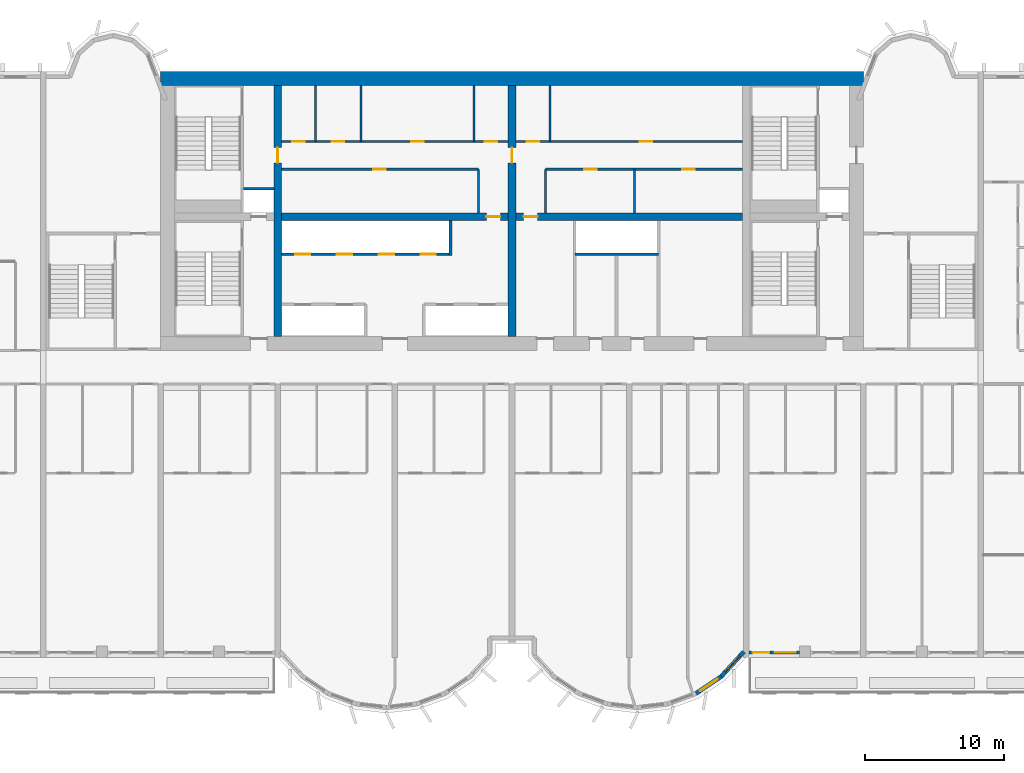
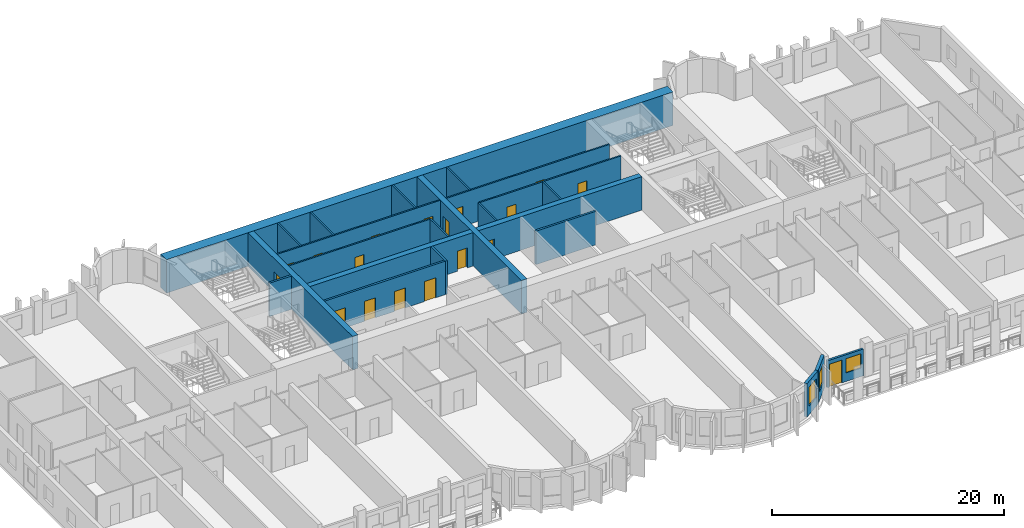
# One storey, part 7 of 15: 23 walls, 18 doors, 3 windows, 21 openings.
"""IFC4 building model written with IfcOpenShell, lengths in metres."""

import ifcopenshell
import ifcopenshell.guid

model = None  # the IFC model being written
_history = None  # IfcOwnerHistory: only IFC2X3 demands one
_inside = {}  # id of a spatial element -> (the spatial element, [elements in it])
_under = {}  # id of a project, library or spatial element -> (it, [spatial elements below it])
_declared = {}  # id of a project -> (the project, [libraries it declares])
_typed = {}  # id of a type object -> (the type object, [elements of that type])
_made_of = {}  # id of a material, layer set ... -> (it, [elements and type objects made of it])


def new_model(schema):
    """Start an empty IFC model of exactly this schema.

    Asked for "IFC4X3", IfcOpenShell would pick the latest addendum, in which some entities
    have other attributes; the version numbers below select the first issue.
    IFC2X3 requires an IfcOwnerHistory on every rooted entity: one is made here for all.
    """
    global model, _history
    if schema == "IFC4X3":
        model = ifcopenshell.file(schema_version=(4, 3, 0, 0))
    else:
        model = ifcopenshell.file(schema=schema)
    _inside.clear()
    _under.clear()
    _declared.clear()
    _typed.clear()
    _made_of.clear()
    _history = None
    if model.schema == "IFC2X3":
        org = make("IfcOrganization", Name="unknown")
        user = make(
            "IfcPersonAndOrganization",
            ThePerson=make("IfcPerson", FamilyName="unknown"),
            TheOrganization=org,
        )
        app = make(
            "IfcApplication",
            ApplicationDeveloper=org,
            Version="unknown",
            ApplicationFullName="unknown",
            ApplicationIdentifier="unknown",
        )
        _history = make(
            "IfcOwnerHistory",
            OwningUser=user,
            OwningApplication=app,
            ChangeAction="ADDED",
            CreationDate=0,
        )
    return model


def make(cls, **values):
    """One entity of the class cls with the attributes given. An attribute that is None is left unset."""
    return model.create_entity(
        cls, **{name: value for name, value in values.items() if value is not None}
    )


def rooted(cls, **values):
    """An entity with a GlobalId (a new one), such as an element, a storey or a relation."""
    return make(cls, GlobalId=ifcopenshell.guid.new(), OwnerHistory=_history, **values)


def si_unit(unit_type, name, prefix=None):
    """IfcSIUnit, for example si_unit("LENGTHUNIT", "METRE", prefix="MILLI")."""
    return make("IfcSIUnit", UnitType=unit_type, Prefix=prefix, Name=name)


def assignment(units):
    """IfcUnitAssignment: the units of a project."""
    return None if units is None else make("IfcUnitAssignment", Units=units)


def point(xyz):
    """IfcCartesianPoint."""
    return None if xyz is None else make("IfcCartesianPoint", Coordinates=xyz)


def direction(xyz):
    """IfcDirection."""
    return None if xyz is None else make("IfcDirection", DirectionRatios=xyz)


def frame(location, z_axis=None, x_axis=None):
    """IfcAxis2Placement3D, a coordinate frame: its origin and axes. An axis left out is left unset."""
    return make(
        "IfcAxis2Placement3D",
        Location=point(location),
        Axis=direction(z_axis),
        RefDirection=direction(x_axis),
    )


def frame_2d(location, x_axis=None):
    """IfcAxis2Placement2D, a coordinate frame in the plane: its origin and x axis."""
    return make(
        "IfcAxis2Placement2D", Location=point(location), RefDirection=direction(x_axis)
    )


def origin():
    """The frame at (0, 0, 0) with its axes left unset."""
    return frame((0.0, 0.0, 0.0))


def place(relative_to, where):
    """IfcLocalPlacement: puts the frame where relative to a parent placement (None: the world)."""
    return make(
        "IfcLocalPlacement", PlacementRelTo=relative_to, RelativePlacement=where
    )


def context(
    kind, dimensions, precision=None, world=None, true_north=None, identifier=None
):
    """IfcGeometricRepresentationContext, for example the 3D "Model" context."""
    return make(
        "IfcGeometricRepresentationContext",
        ContextIdentifier=identifier,
        ContextType=kind,
        CoordinateSpaceDimension=dimensions,
        Precision=precision,
        WorldCoordinateSystem=world,
        TrueNorth=true_north,
    )


def subcontext(parent, identifier, kind, view, scale=None):
    """IfcGeometricRepresentationSubContext, for example "Body" below "Model"."""
    return make(
        "IfcGeometricRepresentationSubContext",
        ContextIdentifier=identifier,
        ContextType=kind,
        ParentContext=parent,
        TargetScale=scale,
        TargetView=view,
    )


def project(units=None, contexts=None):
    """IfcProject with its units and contexts."""
    return rooted(
        "IfcProject",
        Name="project",
        RepresentationContexts=contexts,
        UnitsInContext=assignment(units),
    )


def spatial(cls, under=None, at=None, **own):
    """A site, building, storey or space (cls), placed at a placement, below another one or the project."""
    s = rooted(cls, ObjectPlacement=at, **own)
    if under is not None:
        _under.setdefault(under.id(), (under, []))[1].append(s)
    return s


def profile(cls, at=None, kind="AREA", **sizes):
    """A parametric profile (cls). Its sizes go by their IFC names, for example OverallWidth=200.0."""
    return make(cls, ProfileType=kind, Position=at, **sizes)


def rectangle(**sizes):
    """IfcRectangleProfileDef."""
    return profile("IfcRectangleProfileDef", **sizes)


def extrude(swept, where, along, depth):
    """IfcExtrudedAreaSolid: the profile swept, set in the frame where, extruded along a direction by depth."""
    return make(
        "IfcExtrudedAreaSolid",
        SweptArea=swept,
        Position=where,
        ExtrudedDirection=direction(along),
        Depth=depth,
    )


def shape(context_of_items, identifier, shape_type, items):
    """IfcShapeRepresentation: the items that make up one representation, for example the "Body"."""
    return make(
        "IfcShapeRepresentation",
        ContextOfItems=context_of_items,
        RepresentationIdentifier=identifier,
        RepresentationType=shape_type,
        Items=items,
    )


def source(mapping_origin, context_of_items, identifier, shape_type, items):
    """IfcRepresentationMap: a shape defined once, which mapped items show again and again."""
    return make(
        "IfcRepresentationMap",
        MappingOrigin=mapping_origin,
        MappedRepresentation=shape(context_of_items, identifier, shape_type, items),
    )


def transform(
    local_origin,
    x_axis=None,
    y_axis=None,
    z_axis=None,
    scale=None,
    scale2=None,
    scale3=None,
    uniform=True,
):
    """IfcCartesianTransformationOperator3D, or its non-uniform kind. x_axis, y_axis, z_axis: its Axis1, 2, 3."""
    if uniform:
        return make(
            "IfcCartesianTransformationOperator3D",
            Axis1=direction(x_axis),
            Axis2=direction(y_axis),
            LocalOrigin=point(local_origin),
            Scale=scale,
            Axis3=direction(z_axis),
        )
    return make(
        "IfcCartesianTransformationOperator3DnonUniform",
        Axis1=direction(x_axis),
        Axis2=direction(y_axis),
        LocalOrigin=point(local_origin),
        Scale=scale,
        Axis3=direction(z_axis),
        Scale2=scale2,
        Scale3=scale3,
    )


def mapped(mapping_source, mapping_target):
    """IfcMappedItem: shows the shape of a source again, moved by a transform."""
    return make(
        "IfcMappedItem", MappingSource=mapping_source, MappingTarget=mapping_target
    )


def material(Name=None, Category=None):
    """IfcMaterial."""
    return make("IfcMaterial", Name=Name, Category=Category)


def layer(
    of_material, thickness, ventilated=None, Name=None, Category=None, Priority=None
):
    """IfcMaterialLayer: one layer of a wall or slab, of a material (None: an air gap)."""
    return make(
        "IfcMaterialLayer",
        Material=of_material,
        LayerThickness=thickness,
        IsVentilated=ventilated,
        Name=Name,
        Category=Category,
        Priority=Priority,
    )


def layer_set(layers, Name=None):
    """IfcMaterialLayerSet."""
    return make("IfcMaterialLayerSet", MaterialLayers=layers, LayerSetName=Name)


def made_of(thing, what):
    """Note that an element or type object is made of a material, layer set ...; save() writes the relation."""
    if what is not None:
        _made_of.setdefault(what.id(), (what, []))[1].append(thing)
    return thing


def type_object(cls, material=None, **own):
    """A type object (cls), such as IfcWallType, which elements share."""
    return made_of(rooted(cls, **own), material)


def element(
    cls,
    number,
    at=None,
    inside=None,
    cuts=None,
    type_object=None,
    material=None,
    context=None,
    identifier="Body",
    shape_type=None,
    held_by="IfcProductDefinitionShape",
    body=None,
    shapes=None,
    **own,
):
    """One element of the class cls, such as IfcWall. Its Tag is "e" and its number.

    at: its placement. inside: the storey or other place that contains it. cuts: it is an
    opening in that element (IfcRelVoidsElement). A single representation is given by context,
    identifier, shape_type and body (its items); several are given by shapes. held_by: the class
    of the entity that holds the representations. save() writes the other relations.
    """
    e = rooted(cls, Tag="e%d" % number, ObjectPlacement=at, **own)
    if body is not None:
        shapes = [shape(context, identifier, shape_type, body)]
    if shapes is not None:
        e.Representation = make(held_by, Representations=shapes)
    if inside is not None:
        _inside.setdefault(inside.id(), (inside, []))[1].append(e)
    if cuts is not None:
        rooted(
            "IfcRelVoidsElement", RelatingBuildingElement=cuts, RelatedOpeningElement=e
        )
    if type_object is not None:
        _typed.setdefault(type_object.id(), (type_object, []))[1].append(e)
    return made_of(e, material)


def fill(opening, filler):
    """IfcRelFillsElement: the door or window that sits in an opening."""
    return rooted(
        "IfcRelFillsElement",
        RelatingOpeningElement=opening,
        RelatedBuildingElement=filler,
    )


def aggregate(whole, parts):
    """IfcRelAggregates: a whole, such as a stair, and the parts it consists of."""
    return rooted("IfcRelAggregates", RelatingObject=whole, RelatedObjects=parts)


def save(model, path):
    """Write the relations noted so far, then the file.

    IfcRelAggregates (storeys below a building ...), IfcRelContainedInSpatialStructure (elements
    in a storey), IfcRelDefinesByType, IfcRelAssociatesMaterial and IfcRelDeclares: one each for
    every whole, place, type object, material and project.
    """
    for whole, parts in _under.values():
        aggregate(whole, parts)
    for where, things in _inside.values():
        rooted(
            "IfcRelContainedInSpatialStructure",
            RelatedElements=things,
            RelatingStructure=where,
        )
    for kind, things in _typed.values():
        rooted("IfcRelDefinesByType", RelatedObjects=things, RelatingType=kind)
    for what, things in _made_of.values():
        rooted("IfcRelAssociatesMaterial", RelatedObjects=things, RelatingMaterial=what)
    for by, libraries in _declared.values():
        rooted("IfcRelDeclares", RelatingContext=by, RelatedDefinitions=libraries)
    model.write(path)


model = new_model("IFC4")

# Units and contexts
model_context = context("Model", 3, precision=1e-05, world=origin(), true_north=direction((0.0, 1.0)))
body_context = subcontext(model_context, "Body", "Model", "MODEL_VIEW")
ifc_project = project(units=[si_unit("LENGTHUNIT", "METRE"), si_unit("AREAUNIT", "SQUARE_METRE"), si_unit("VOLUMEUNIT", "CUBIC_METRE"), si_unit("PLANEANGLEUNIT", "RADIAN"), si_unit("MASSUNIT", "GRAM", prefix="KILO")], contexts=[model_context])

# Site, building, storey
site_placement = place(None, origin())
site = spatial("IfcSite", under=ifc_project, at=site_placement, CompositionType="ELEMENT")
building_placement = place(site_placement, origin())
building = spatial("IfcBuilding", under=site, at=building_placement, Name="Vanashikhar Sky Hotel", CompositionType="ELEMENT")
storey_placement = place(building_placement, frame((0.0, 0.0, 46.800048828125)))
storey = spatial("IfcBuildingStorey", under=building, at=storey_placement, Name="L10", CompositionType="ELEMENT", Elevation=46.800048828125)

# Wall
ifc_material_1 = material(Name="Concrete M80", Category="concrete")
ifc_layer_1 = layer(ifc_material_1, 1.0)
ifc_layer_set_1 = layer_set([ifc_layer_1], Name="RC core shell wall 1000 Concrete M80")
wall_type_1 = type_object("IfcWallType", Name="RC core shell wall 1000 Concrete M80", PredefinedType="SHEAR", material=ifc_layer_set_1)
shared_shape_1 = source(origin(), body_context, "Body", "SweptSolid", [
    extrude(rectangle(XDim=50.400146484375, YDim=1.0, at=frame_2d((25.2001953125, 0.0))), origin(), (0.0, 0.0, 1.0), 3.52001953125),
])
wall_1_placement = place(storey_placement, frame((25.199951171875, 41.5, 0.0), z_axis=(0.0, 0.0, 1.0), x_axis=(1.0, 0.0, 0.0)))
element("IfcWall", 1, at=wall_1_placement, inside=storey, type_object=wall_type_1, Name="KW-L10-KN", PredefinedType="SHEAR", context=body_context, shape_type="MappedRepresentation", body=[
    mapped(shared_shape_1, transform((0.0, 0.0, 0.0), scale=1.0)),
])

# Wall, opening, door
ifc_layer_2 = layer(ifc_material_1, 0.550048828125)
ifc_layer_set_2 = layer_set([ifc_layer_2], Name="RC core inner wall 550 Concrete M80")
wall_type_2 = type_object("IfcWallType", Name="RC core inner wall 550 Concrete M80", PredefinedType="SHEAR", material=ifc_layer_set_2)
shared_shape_2 = source(origin(), body_context, "Body", "SweptSolid", [
    extrude(rectangle(XDim=18.0, YDim=0.550048828125, at=frame_2d((9.0, 0.0))), origin(), (0.0, 0.0, 1.0), 3.52001953125),
])
wall_2_placement = place(storey_placement, frame((33.60009765625, 23.0, 0.0), z_axis=(0.0, 0.0, 1.0), x_axis=(0.0, 1.0, 0.0)))
wall_2 = element("IfcWall", 2, at=wall_2_placement, inside=storey, type_object=wall_type_2, Name="KW-L10-KX1", PredefinedType="SHEAR", context=body_context, shape_type="MappedRepresentation", body=[
    mapped(shared_shape_2, transform((0.0, 0.0, 0.0), scale=1.0)),
])
shared_shape_3 = source(origin(), body_context, "Body", "SweptSolid", [
    extrude(rectangle(XDim=1.10009765625, YDim=2.10009765625, at=frame_2d((0.550048828125, 1.050048828125))), frame((0.0, 0.28515625, 0.0), z_axis=(0.0, -1.0, 0.0), x_axis=(1.0, 0.0, 0.0)), (0.0, 0.0, 1.0), 0.570068359375),
])
opening_1_placement = place(wall_2_placement, frame((12.449951171875, 0.0, 0.0)))
opening_1 = element("IfcOpeningElement", 3, at=opening_1_placement, cuts=wall_2, Name="Opening DC-4-C", PredefinedType="OPENING", context=body_context, shape_type="MappedRepresentation", body=[
    mapped(shared_shape_3, transform((0.0, 0.0, 0.0), scale=1.0)),
])
ifc_material_2 = material(Name="Steel", Category="steel")
door_type_1 = type_object("IfcDoorType", Name="Service door 1100 FD60", OperationType="NOTDEFINED", PredefinedType="DOOR", material=ifc_material_2)
shared_shape_4 = source(origin(), body_context, "Body", "SweptSolid", [
    extrude(rectangle(XDim=1.10009765625, YDim=2.10009765625, at=frame_2d((0.550048828125, 1.050048828125))), frame((0.0, 0.02490234375, 0.0), z_axis=(0.0, -1.0, 0.0), x_axis=(1.0, 0.0, 0.0)), (0.0, 0.0, 1.0), 0.050048828125),
])
door_1_placement = place(opening_1_placement, origin())
door_1 = element("IfcDoor", 4, at=door_1_placement, inside=storey, type_object=door_type_1, Name="Service door 1100 FD60", OperationType="SINGLE_SWING_RIGHT", OverallHeight=2.10009765625, OverallWidth=1.10009765625, PredefinedType="DOOR", context=body_context, shape_type="MappedRepresentation", body=[
    mapped(shared_shape_4, transform((0.0, 0.0, 0.0), scale=1.0)),
])
fill(opening_1, door_1)

wall_3_placement = place(storey_placement, frame((50.39990234375, 23.0, 0.0), z_axis=(0.0, 0.0, 1.0), x_axis=(0.0, 1.0, 0.0)))
wall_3 = element("IfcWall", 5, at=wall_3_placement, inside=storey, type_object=wall_type_2, Name="KW-L10-KX2", PredefinedType="SHEAR", context=body_context, shape_type="MappedRepresentation", body=[
    mapped(shared_shape_2, transform((0.0, 0.0, 0.0), scale=1.0)),
])
opening_2_placement = place(wall_3_placement, frame((12.449951171875, 0.0, 0.0)))
opening_2 = element("IfcOpeningElement", 6, at=opening_2_placement, cuts=wall_3, Name="Opening DC-4-C", PredefinedType="OPENING", context=body_context, shape_type="MappedRepresentation", body=[
    mapped(shared_shape_3, transform((0.0, 0.0, 0.0), scale=1.0)),
])
door_2_placement = place(opening_2_placement, origin())
door_2 = element("IfcDoor", 7, at=door_2_placement, inside=storey, type_object=door_type_1, Name="Service door 1100 FD60", OperationType="SINGLE_SWING_LEFT", OverallHeight=2.10009765625, OverallWidth=1.10009765625, PredefinedType="DOOR", context=body_context, shape_type="MappedRepresentation", body=[
    mapped(shared_shape_4, transform((0.0, 0.0, 0.0), scale=1.0)),
])
fill(opening_2, door_2)

shared_shape_5 = source(origin(), body_context, "Body", "SweptSolid", [
    extrude(rectangle(XDim=16.25, YDim=0.550048828125, at=frame_2d((8.125, 0.0))), origin(), (0.0, 0.0, 1.0), 3.52001953125),
])
wall_4_placement = place(storey_placement, frame((33.875, 31.60009765625, 0.0), z_axis=(0.0, 0.0, 1.0), x_axis=(1.0, 0.0, 0.0)))
wall_4 = element("IfcWall", 8, at=wall_4_placement, inside=storey, type_object=wall_type_2, Name="KW-L10-KY2", PredefinedType="SHEAR", context=body_context, shape_type="MappedRepresentation", body=[
    mapped(shared_shape_5, transform((0.0, 0.0, 0.0), scale=1.0)),
])
shared_shape_6 = source(origin(), body_context, "Body", "SweptSolid", [
    extrude(rectangle(XDim=1.0, YDim=2.10009765625, at=frame_2d((0.5, 1.050048828125))), frame((0.0, 0.28515625, 0.0), z_axis=(0.0, -1.0, 0.0), x_axis=(1.0, 0.0, 0.0)), (0.0, 0.0, 1.0), 0.570068359375),
])
opening_3_placement = place(wall_4_placement, frame((14.68701171875, 0.0, 0.0)))
opening_3 = element("IfcOpeningElement", 9, at=opening_3_placement, cuts=wall_4, Name="Opening DC-4", PredefinedType="OPENING", context=body_context, shape_type="MappedRepresentation", body=[
    mapped(shared_shape_6, transform((0.0, 0.0, 0.0), scale=1.0)),
])
door_type_2 = type_object("IfcDoorType", Name="Service door 1000 FD60", OperationType="NOTDEFINED", PredefinedType="DOOR", material=ifc_material_2)
shared_shape_7 = source(origin(), body_context, "Body", "SweptSolid", [
    extrude(rectangle(XDim=1.0, YDim=2.10009765625, at=frame_2d((0.5, 1.050048828125))), frame((0.0, 0.02490234375, 0.0), z_axis=(0.0, -1.0, 0.0), x_axis=(1.0, 0.0, 0.0)), (0.0, 0.0, 1.0), 0.050048828125),
])
door_3_placement = place(opening_3_placement, origin())
door_3 = element("IfcDoor", 10, at=door_3_placement, inside=storey, type_object=door_type_2, Name="Service door 1000 FD60", OperationType="SINGLE_SWING_LEFT", OverallHeight=2.10009765625, OverallWidth=1.0, PredefinedType="DOOR", context=body_context, shape_type="MappedRepresentation", body=[
    mapped(shared_shape_7, transform((0.0, 0.0, 0.0), scale=1.0)),
])
fill(opening_3, door_3)

wall_5_placement = place(storey_placement, frame((50.675048828125, 31.60009765625, 0.0), z_axis=(0.0, 0.0, 1.0), x_axis=(1.0, 0.0, 0.0)))
wall_5 = element("IfcWall", 11, at=wall_5_placement, inside=storey, type_object=wall_type_2, Name="KW-L10-KY3", PredefinedType="SHEAR", context=body_context, shape_type="MappedRepresentation", body=[
    mapped(shared_shape_5, transform((0.0, 0.0, 0.0), scale=1.0)),
])
opening_4_placement = place(wall_5_placement, frame((0.56201171875, 0.0, 0.0)))
opening_4 = element("IfcOpeningElement", 12, at=opening_4_placement, cuts=wall_5, Name="Opening DC-4", PredefinedType="OPENING", context=body_context, shape_type="MappedRepresentation", body=[
    mapped(shared_shape_6, transform((0.0, 0.0, 0.0), scale=1.0)),
])
door_4_placement = place(opening_4_placement, origin())
door_4 = element("IfcDoor", 13, at=door_4_placement, inside=storey, type_object=door_type_2, Name="Service door 1000 FD60", OperationType="SINGLE_SWING_RIGHT", OverallHeight=2.10009765625, OverallWidth=1.0, PredefinedType="DOOR", context=body_context, shape_type="MappedRepresentation", body=[
    mapped(shared_shape_7, transform((0.0, 0.0, 0.0), scale=1.0)),
])
fill(opening_4, door_4)

# Wall, opening, window
ifc_material_3 = material(Name="Concrete M50", Category="concrete")
ifc_layer_3 = layer(ifc_material_3, 0.300048828125)
ifc_layer_set_3 = layer_set([ifc_layer_3], Name="Lobe wall 300")
wall_type_3 = type_object("IfcWallType", Name="Lobe wall 300", PredefinedType="SOLIDWALL", material=ifc_layer_set_3)
shared_shape_8 = source(origin(), body_context, "Body", "SweptSolid", [
    extrude(rectangle(XDim=2.398193359375, YDim=0.300048828125, at=frame_2d((1.19921875, 0.0))), origin(), (0.0, 0.0, 1.0), 3.52001953125),
])
wall_6_placement = place(storey_placement, frame((65.404296875, -1.36865234375, 0.0), z_axis=(0.0, 0.0, 1.0), x_axis=(0.675374189419, 0.737475222815, 0.0)))
wall_6 = element("IfcWall", 14, at=wall_6_placement, inside=storey, type_object=wall_type_3, Name="Lobe wall", PredefinedType="SOLIDWALL", context=body_context, shape_type="MappedRepresentation", body=[
    mapped(shared_shape_8, transform((0.0, 0.0, 0.0), scale=1.0)),
])
shared_shape_9 = source(origin(), body_context, "Body", "SweptSolid", [
    extrude(rectangle(XDim=1.5, YDim=2.0, at=frame_2d((0.75, 1.0))), frame((0.0, 0.16015625, 0.0), z_axis=(0.0, -1.0, 0.0), x_axis=(1.0, 0.0, 0.0)), (0.0, 0.0, 1.0), 0.320068359375),
])
opening_5_placement = place(wall_6_placement, frame((0.44921875, 0.0, 0.89990234375)))
opening_5 = element("IfcOpeningElement", 15, at=opening_5_placement, cuts=wall_6, Name="Opening WN-2", PredefinedType="OPENING", context=body_context, shape_type="MappedRepresentation", body=[
    mapped(shared_shape_9, transform((0.0, 0.0, 0.0), scale=1.0)),
])
ifc_material_4 = material(Name="Glass", Category="glass")
window_type_1 = type_object("IfcWindowType", Name="Lobe window 1500 x 2000", PartitioningType="SINGLE_PANEL", PredefinedType="WINDOW", material=ifc_material_4)
shared_shape_10 = source(origin(), body_context, "Body", "SweptSolid", [
    extrude(rectangle(XDim=1.5, YDim=2.0, at=frame_2d((0.75, 1.0))), frame((0.0, 0.030029296875, 0.0), z_axis=(0.0, -1.0, 0.0), x_axis=(1.0, 0.0, 0.0)), (0.0, 0.0, 1.0), 0.06005859375),
])
window_1_placement = place(opening_5_placement, origin())
window_1 = element("IfcWindow", 16, at=window_1_placement, inside=storey, type_object=window_type_1, Name="Window WN-2", OverallHeight=2.0, OverallWidth=1.5, PartitioningType="SINGLE_PANEL", PredefinedType="WINDOW", context=body_context, shape_type="MappedRepresentation", body=[
    mapped(shared_shape_10, transform((0.0, 0.0, 0.0), scale=1.0)),
])
fill(opening_5, window_1)

shared_shape_11 = source(origin(), body_context, "Body", "SweptSolid", [
    extrude(rectangle(XDim=2.17578125, YDim=0.300048828125, at=frame_2d((1.087890625, 0.0))), origin(), (0.0, 0.0, 1.0), 3.52001953125),
])
wall_7_placement = place(storey_placement, frame((63.59912109375, -2.58349609375, 0.0), z_axis=(0.0, 0.0, 1.0), x_axis=(0.829625727223, 0.558319937607, 0.0)))
wall_7 = element("IfcWall", 17, at=wall_7_placement, inside=storey, type_object=wall_type_3, Name="Lobe wall", PredefinedType="SOLIDWALL", context=body_context, shape_type="MappedRepresentation", body=[
    mapped(shared_shape_11, transform((0.0, 0.0, 0.0), scale=1.0)),
])
opening_6_placement = place(wall_7_placement, frame((0.337890625, 0.0, 0.89990234375)))
opening_6 = element("IfcOpeningElement", 18, at=opening_6_placement, cuts=wall_7, Name="Opening WN-2", PredefinedType="OPENING", context=body_context, shape_type="MappedRepresentation", body=[
    mapped(shared_shape_9, transform((0.0, 0.0, 0.0), scale=1.0)),
])
window_2_placement = place(opening_6_placement, origin())
window_2 = element("IfcWindow", 19, at=window_2_placement, inside=storey, type_object=window_type_1, Name="Window WN-2", OverallHeight=2.0, OverallWidth=1.5, PartitioningType="SINGLE_PANEL", PredefinedType="WINDOW", context=body_context, shape_type="MappedRepresentation", body=[
    mapped(shared_shape_10, transform((0.0, 0.0, 0.0), scale=1.0)),
])
fill(opening_6, window_2)

# Wall, openings, window, door
ifc_layer_4 = layer(ifc_material_3, 0.199951171875)
ifc_layer_set_4 = layer_set([ifc_layer_4], Name="Front window wall 200")
wall_type_4 = type_object("IfcWallType", Name="Front window wall 200", PredefinedType="SOLIDWALL", material=ifc_layer_set_4)
shared_shape_12 = source(origin(), body_context, "Body", "SweptSolid", [
    extrude(rectangle(XDim=3.60009765625, YDim=0.199951171875, at=frame_2d((1.800048828125, 0.0))), origin(), (0.0, 0.0, 1.0), 2.820068359375),
])
wall_8_placement = place(storey_placement, frame((67.39990234375, 0.35009765625, 0.0), z_axis=(0.0, 0.0, 1.0), x_axis=(1.0, 0.0, 0.0)))
wall_8 = element("IfcWall", 20, at=wall_8_placement, inside=storey, type_object=wall_type_4, Name="Front window wall", PredefinedType="SOLIDWALL", context=body_context, shape_type="MappedRepresentation", body=[
    mapped(shared_shape_12, transform((0.0, 0.0, 0.0), scale=1.0)),
])
shared_shape_13 = source(origin(), body_context, "Body", "SweptSolid", [
    extrude(rectangle(XDim=1.199951171875, YDim=2.39990234375, at=frame_2d((0.60009765625, 1.199951171875))), frame((0.0, 0.10986328125, 0.0), z_axis=(0.0, -1.0, 0.0), x_axis=(1.0, 0.0, 0.0)), (0.0, 0.0, 1.0), 0.219970703125),
])
opening_7_placement = place(wall_8_placement, frame((0.25, 0.0, 0.0)))
opening_7 = element("IfcOpeningElement", 21, at=opening_7_placement, cuts=wall_8, Name="Opening BD-08", PredefinedType="OPENING", context=body_context, shape_type="MappedRepresentation", body=[
    mapped(shared_shape_13, transform((0.0, 0.0, 0.0), scale=1.0)),
])
shared_shape_14 = source(origin(), body_context, "Body", "SweptSolid", [
    extrude(rectangle(XDim=1.5, YDim=1.5, at=frame_2d((0.75, 0.75))), frame((0.0, 0.10986328125, 0.0), z_axis=(0.0, -1.0, 0.0), x_axis=(1.0, 0.0, 0.0)), (0.0, 0.0, 1.0), 0.219970703125),
])
opening_8_placement = place(wall_8_placement, frame((1.85009765625, 0.0, 0.89990234375)))
opening_8 = element("IfcOpeningElement", 22, at=opening_8_placement, cuts=wall_8, Name="Opening WN-1", PredefinedType="OPENING", context=body_context, shape_type="MappedRepresentation", body=[
    mapped(shared_shape_14, transform((0.0, 0.0, 0.0), scale=1.0)),
])
window_type_2 = type_object("IfcWindowType", Name="Window 1500 x 1500", PartitioningType="SINGLE_PANEL", PredefinedType="WINDOW", material=ifc_material_4)
shared_shape_15 = source(origin(), body_context, "Body", "SweptSolid", [
    extrude(rectangle(XDim=1.5, YDim=1.5, at=frame_2d((0.75, 0.75))), frame((0.0, 0.030029296875, 0.0), z_axis=(0.0, -1.0, 0.0), x_axis=(1.0, 0.0, 0.0)), (0.0, 0.0, 1.0), 0.06005859375),
])
window_3_placement = place(opening_8_placement, origin())
window_3 = element("IfcWindow", 23, at=window_3_placement, inside=storey, type_object=window_type_2, Name="Window WN-1", OverallHeight=1.5, OverallWidth=1.5, PartitioningType="SINGLE_PANEL", PredefinedType="WINDOW", context=body_context, shape_type="MappedRepresentation", body=[
    mapped(shared_shape_15, transform((0.0, 0.0, 0.0), scale=1.0)),
])
fill(opening_8, window_3)
ifc_material_5 = material(Name="Aluminium", Category="aluminium")
door_type_3 = type_object("IfcDoorType", Name="Balcony sliding door 1200 x 2400", OperationType="NOTDEFINED", PredefinedType="DOOR", material=ifc_material_5)
shared_shape_16 = source(origin(), body_context, "Body", "SweptSolid", [
    extrude(rectangle(XDim=1.199951171875, YDim=2.39990234375, at=frame_2d((0.60009765625, 1.199951171875))), frame((0.0, 0.02490234375, 0.0), z_axis=(0.0, -1.0, 0.0), x_axis=(1.0, 0.0, 0.0)), (0.0, 0.0, 1.0), 0.050048828125),
])
door_5_placement = place(opening_7_placement, origin())
door_5 = element("IfcDoor", 24, at=door_5_placement, inside=storey, type_object=door_type_3, Name="Balcony sliding door", OperationType="SLIDING_TO_RIGHT", OverallHeight=2.39990234375, OverallWidth=1.199951171875, PredefinedType="DOOR", context=body_context, shape_type="MappedRepresentation", body=[
    mapped(shared_shape_16, transform((0.0, 0.0, 0.0), scale=1.0)),
])
fill(opening_7, door_5)

# Wall
ifc_material_6 = material(Name="Concrete M40", Category="concrete")
ifc_layer_5 = layer(ifc_material_6, 0.199951171875)
ifc_layer_set_5 = layer_set([ifc_layer_5], Name="Shaft wall 200")
wall_type_5 = type_object("IfcWallType", Name="Shaft wall 200", PredefinedType="SOLIDWALL", material=ifc_layer_set_5)
shared_shape_17 = source(origin(), body_context, "Body", "SweptSolid", [
    extrude(rectangle(XDim=6.0, YDim=0.199951171875, at=frame_2d((3.0, 0.0))), origin(), (0.0, 0.0, 1.0), 3.52001953125),
])
wall_9_placement = place(storey_placement, frame((60.89990234375, 28.89990234375, 0.0), z_axis=(0.0, 0.0, 1.0), x_axis=(-1.0, 0.0, 0.0)))
element("IfcWall", 25, at=wall_9_placement, inside=storey, type_object=wall_type_5, Name="Shaft wall 200", PredefinedType="SOLIDWALL", context=body_context, shape_type="MappedRepresentation", body=[
    mapped(shared_shape_17, transform((0.0, 0.0, 0.0), scale=1.0)),
])

# Wall, openings, doors
shared_shape_18 = source(origin(), body_context, "Body", "SweptSolid", [
    extrude(rectangle(XDim=12.02490234375, YDim=0.199951171875, at=frame_2d((6.012451171875, 0.0))), origin(), (0.0, 0.0, 1.0), 3.52001953125),
])
wall_10_placement = place(storey_placement, frame((33.875, 28.89990234375, 0.0), z_axis=(0.0, 0.0, 1.0), x_axis=(1.0, 0.0, 0.0)))
wall_10 = element("IfcWall", 26, at=wall_10_placement, inside=storey, type_object=wall_type_5, Name="Shaft wall 200", PredefinedType="SOLIDWALL", context=body_context, shape_type="MappedRepresentation", body=[
    mapped(shared_shape_18, transform((0.0, 0.0, 0.0), scale=1.0)),
])
shared_shape_19 = source(origin(), body_context, "Body", "SweptSolid", [
    extrude(rectangle(XDim=1.10009765625, YDim=2.10009765625, at=frame_2d((0.550048828125, 1.050048828125))), frame((0.0, 0.10986328125, 0.0), z_axis=(0.0, -1.0, 0.0), x_axis=(1.0, 0.0, 0.0)), (0.0, 0.0, 1.0), 0.219970703125),
])
opening_9_placement = place(wall_10_placement, frame((0.97509765625, 0.0, 0.0)))
opening_9 = element("IfcOpeningElement", 27, at=opening_9_placement, cuts=wall_10, Name="Opening LD", PredefinedType="OPENING", context=body_context, shape_type="MappedRepresentation", body=[
    mapped(shared_shape_19, transform((0.0, 0.0, 0.0), scale=1.0)),
])
opening_10_placement = place(wall_10_placement, frame((3.97509765625, 0.0, 0.0)))
opening_10 = element("IfcOpeningElement", 28, at=opening_10_placement, cuts=wall_10, Name="Opening LD", PredefinedType="OPENING", context=body_context, shape_type="MappedRepresentation", body=[
    mapped(shared_shape_19, transform((0.0, 0.0, 0.0), scale=1.0)),
])
opening_11_placement = place(wall_10_placement, frame((6.97509765625, 0.0, 0.0)))
opening_11 = element("IfcOpeningElement", 29, at=opening_11_placement, cuts=wall_10, Name="Opening LD", PredefinedType="OPENING", context=body_context, shape_type="MappedRepresentation", body=[
    mapped(shared_shape_19, transform((0.0, 0.0, 0.0), scale=1.0)),
])
opening_12_placement = place(wall_10_placement, frame((9.97509765625, 0.0, 0.0)))
opening_12 = element("IfcOpeningElement", 30, at=opening_12_placement, cuts=wall_10, Name="Opening LD", PredefinedType="OPENING", context=body_context, shape_type="MappedRepresentation", body=[
    mapped(shared_shape_19, transform((0.0, 0.0, 0.0), scale=1.0)),
])
ifc_material_7 = material(Name="Stainless steel", Category="steel")
door_type_4 = type_object("IfcDoorType", Name="Lift landing door 1100", OperationType="NOTDEFINED", PredefinedType="DOOR", material=ifc_material_7)
door_6_placement = place(opening_9_placement, origin())
door_6 = element("IfcDoor", 31, at=door_6_placement, inside=storey, type_object=door_type_4, Name="Lift landing door 1100", OperationType="SLIDING_TO_LEFT", OverallHeight=2.10009765625, OverallWidth=1.10009765625, PredefinedType="DOOR", context=body_context, shape_type="MappedRepresentation", body=[
    mapped(shared_shape_4, transform((0.0, 0.0, 0.0), scale=1.0)),
])
fill(opening_9, door_6)
door_7_placement = place(opening_10_placement, origin())
door_7 = element("IfcDoor", 32, at=door_7_placement, inside=storey, type_object=door_type_4, Name="Lift landing door 1100", OperationType="SLIDING_TO_RIGHT", OverallHeight=2.10009765625, OverallWidth=1.10009765625, PredefinedType="DOOR", context=body_context, shape_type="MappedRepresentation", body=[
    mapped(shared_shape_4, transform((0.0, 0.0, 0.0), scale=1.0)),
])
fill(opening_10, door_7)
door_8_placement = place(opening_11_placement, origin())
door_8 = element("IfcDoor", 33, at=door_8_placement, inside=storey, type_object=door_type_4, Name="Lift landing door 1100", OperationType="SLIDING_TO_LEFT", OverallHeight=2.10009765625, OverallWidth=1.10009765625, PredefinedType="DOOR", context=body_context, shape_type="MappedRepresentation", body=[
    mapped(shared_shape_4, transform((0.0, 0.0, 0.0), scale=1.0)),
])
fill(opening_11, door_8)
door_9_placement = place(opening_12_placement, origin())
door_9 = element("IfcDoor", 34, at=door_9_placement, inside=storey, type_object=door_type_4, Name="Lift landing door 1100", OperationType="SLIDING_TO_RIGHT", OverallHeight=2.10009765625, OverallWidth=1.10009765625, PredefinedType="DOOR", context=body_context, shape_type="MappedRepresentation", body=[
    mapped(shared_shape_4, transform((0.0, 0.0, 0.0), scale=1.0)),
])
fill(opening_12, door_9)

# Walls
shared_shape_20 = source(origin(), body_context, "Body", "SweptSolid", [
    extrude(rectangle(XDim=2.52490234375, YDim=0.199951171875, at=frame_2d((1.262451171875, 0.0))), origin(), (0.0, 0.0, 1.0), 3.52001953125),
])
wall_11_placement = place(storey_placement, frame((46.0, 28.800048828125, 0.0), z_axis=(0.0, 0.0, 1.0), x_axis=(0.0, 1.0, 0.0)))
element("IfcWall", 35, at=wall_11_placement, inside=storey, type_object=wall_type_5, Name="Shaft wall 200", PredefinedType="SOLIDWALL", context=body_context, shape_type="MappedRepresentation", body=[
    mapped(shared_shape_20, transform((0.0, 0.0, 0.0), scale=1.0)),
])
ifc_material_8 = material(Name="Gypsum board partition")
ifc_layer_6 = layer(ifc_material_8, 0.14990234375)
ifc_layer_set_6 = layer_set([ifc_layer_6], Name="Service partition 150")
wall_type_6 = type_object("IfcWallType", Name="Service partition 150", PredefinedType="PARTITIONING", material=ifc_layer_set_6)
shared_shape_21 = source(origin(), body_context, "Body", "SweptSolid", [
    extrude(rectangle(XDim=3.125, YDim=0.14990234375, at=frame_2d((1.5625, 0.0))), origin(), (0.0, 0.0, 1.0), 3.52001953125),
])
for number, where, z_axis, x_axis, name in (
    (36, (48.0, 31.875, 0.0), (0.0, 0.0, 1.0), (0.0, 1.0, 0.0), "Service partition 150"),
    (37, (52.800048828125, 31.875, 0.0), (0.0, 0.0, 1.0), (0.0, 1.0, 0.0), "Service partition 150"),
    (38, (59.197021484375, 31.875, 0.0), (0.0, 0.0, 1.0), (0.0, 1.0, 0.0), "Service partition 150"),
):
    element("IfcWall", number, at=place(storey_placement, frame(where, z_axis=z_axis, x_axis=x_axis)), inside=storey, type_object=wall_type_6, Name=name, PredefinedType="PARTITIONING", context=body_context, shape_type="MappedRepresentation", body=[
        mapped(shared_shape_21, transform((0.0, 0.0, 0.0), scale=1.0)),
    ])

# Wall, opening, door
shared_shape_22 = source(origin(), body_context, "Body", "SweptSolid", [
    extrude(rectangle(XDim=14.125, YDim=0.14990234375, at=frame_2d((7.0625, 0.0))), origin(), (0.0, 0.0, 1.0), 3.52001953125),
])
wall_12_placement = place(storey_placement, frame((33.875, 35.0, 0.0), z_axis=(0.0, 0.0, 1.0), x_axis=(1.0, 0.0, 0.0)))
wall_12 = element("IfcWall", 39, at=wall_12_placement, inside=storey, type_object=wall_type_6, Name="Service partition 150", PredefinedType="PARTITIONING", context=body_context, shape_type="MappedRepresentation", body=[
    mapped(shared_shape_22, transform((0.0, 0.0, 0.0), scale=1.0)),
])
shared_shape_23 = source(origin(), body_context, "Body", "SweptSolid", [
    extrude(rectangle(XDim=0.89990234375, YDim=2.10009765625, at=frame_2d((0.449951171875, 1.050048828125))), frame((0.0, 0.0849609375, 0.0), z_axis=(0.0, -1.0, 0.0), x_axis=(1.0, 0.0, 0.0)), (0.0, 0.0, 1.0), 0.169921875),
])
opening_13_placement = place(wall_12_placement, frame((6.574951171875, 0.0, 0.0)))
opening_13 = element("IfcOpeningElement", 40, at=opening_13_placement, cuts=wall_12, Name="Opening DC-4-A", PredefinedType="OPENING", context=body_context, shape_type="MappedRepresentation", body=[
    mapped(shared_shape_23, transform((0.0, 0.0, 0.0), scale=1.0)),
])
door_type_5 = type_object("IfcDoorType", Name="Service door 900 FD60", OperationType="NOTDEFINED", PredefinedType="DOOR", material=ifc_material_2)
shared_shape_24 = source(origin(), body_context, "Body", "SweptSolid", [
    extrude(rectangle(XDim=0.89990234375, YDim=2.10009765625, at=frame_2d((0.449951171875, 1.050048828125))), frame((0.0, 0.02490234375, 0.0), z_axis=(0.0, -1.0, 0.0), x_axis=(1.0, 0.0, 0.0)), (0.0, 0.0, 1.0), 0.050048828125),
])
door_10_placement = place(opening_13_placement, origin())
door_10 = element("IfcDoor", 41, at=door_10_placement, inside=storey, type_object=door_type_5, Name="Service door 900 FD60", OperationType="SINGLE_SWING_RIGHT", OverallHeight=2.10009765625, OverallWidth=0.89990234375, PredefinedType="DOOR", context=body_context, shape_type="MappedRepresentation", body=[
    mapped(shared_shape_24, transform((0.0, 0.0, 0.0), scale=1.0)),
])
fill(opening_13, door_10)

# Wall, openings, doors
wall_13_placement = place(storey_placement, frame((66.925048828125, 35.0, 0.0), z_axis=(0.0, 0.0, 1.0), x_axis=(-1.0, 0.0, 0.0)))
wall_13 = element("IfcWall", 42, at=wall_13_placement, inside=storey, type_object=wall_type_6, Name="Service partition 150", PredefinedType="PARTITIONING", context=body_context, shape_type="MappedRepresentation", body=[
    mapped(shared_shape_22, transform((0.0, 0.0, 0.0), scale=1.0)),
])
opening_14_placement = place(wall_13_placement, frame((3.4140625, 0.0, 0.0)))
opening_14 = element("IfcOpeningElement", 43, at=opening_14_placement, cuts=wall_13, Name="Opening DC-4-A", PredefinedType="OPENING", context=body_context, shape_type="MappedRepresentation", body=[
    mapped(shared_shape_23, transform((0.0, 0.0, 0.0), scale=1.0)),
])
opening_15_placement = place(wall_13_placement, frame((10.43896484375, 0.0, 0.0)))
opening_15 = element("IfcOpeningElement", 44, at=opening_15_placement, cuts=wall_13, Name="Opening DC-4-A", PredefinedType="OPENING", context=body_context, shape_type="MappedRepresentation", body=[
    mapped(shared_shape_23, transform((0.0, 0.0, 0.0), scale=1.0)),
])
door_11_placement = place(opening_14_placement, origin())
door_11 = element("IfcDoor", 45, at=door_11_placement, inside=storey, type_object=door_type_5, Name="Service door 900 FD60", OperationType="SINGLE_SWING_RIGHT", OverallHeight=2.10009765625, OverallWidth=0.89990234375, PredefinedType="DOOR", context=body_context, shape_type="MappedRepresentation", body=[
    mapped(shared_shape_24, transform((0.0, 0.0, 0.0), scale=1.0)),
])
fill(opening_14, door_11)
door_12_placement = place(opening_15_placement, origin())
door_12 = element("IfcDoor", 46, at=door_12_placement, inside=storey, type_object=door_type_5, Name="Service door 900 FD60", OperationType="SINGLE_SWING_RIGHT", OverallHeight=2.10009765625, OverallWidth=0.89990234375, PredefinedType="DOOR", context=body_context, shape_type="MappedRepresentation", body=[
    mapped(shared_shape_24, transform((0.0, 0.0, 0.0), scale=1.0)),
])
fill(opening_15, door_12)

shared_shape_25 = source(origin(), body_context, "Body", "SweptSolid", [
    extrude(rectangle(XDim=16.25, YDim=0.14990234375, at=frame_2d((8.125, 0.0))), origin(), (0.0, 0.0, 1.0), 3.52001953125),
])
wall_14_placement = place(storey_placement, frame((33.875, 37.0, 0.0), z_axis=(0.0, 0.0, 1.0), x_axis=(1.0, 0.0, 0.0)))
wall_14 = element("IfcWall", 47, at=wall_14_placement, inside=storey, type_object=wall_type_6, Name="Service partition 150", PredefinedType="PARTITIONING", context=body_context, shape_type="MappedRepresentation", body=[
    mapped(shared_shape_25, transform((0.0, 0.0, 0.0), scale=1.0)),
])
opening_16_placement = place(wall_14_placement, frame((0.76904296875, 0.0, 0.0)))
opening_16 = element("IfcOpeningElement", 48, at=opening_16_placement, cuts=wall_14, Name="Opening DC-4-A", PredefinedType="OPENING", context=body_context, shape_type="MappedRepresentation", body=[
    mapped(shared_shape_23, transform((0.0, 0.0, 0.0), scale=1.0)),
])
opening_17_placement = place(wall_14_placement, frame((3.613037109375, 0.0, 0.0)))
opening_17 = element("IfcOpeningElement", 49, at=opening_17_placement, cuts=wall_14, Name="Opening DC-4-A", PredefinedType="OPENING", context=body_context, shape_type="MappedRepresentation", body=[
    mapped(shared_shape_23, transform((0.0, 0.0, 0.0), scale=1.0)),
])
opening_18_placement = place(wall_14_placement, frame((9.300048828125, 0.0, 0.0)))
opening_18 = element("IfcOpeningElement", 50, at=opening_18_placement, cuts=wall_14, Name="Opening DC-4-A", PredefinedType="OPENING", context=body_context, shape_type="MappedRepresentation", body=[
    mapped(shared_shape_23, transform((0.0, 0.0, 0.0), scale=1.0)),
])
opening_19_placement = place(wall_14_placement, frame((14.5810546875, 0.0, 0.0)))
opening_19 = element("IfcOpeningElement", 51, at=opening_19_placement, cuts=wall_14, Name="Opening DC-4-A", PredefinedType="OPENING", context=body_context, shape_type="MappedRepresentation", body=[
    mapped(shared_shape_23, transform((0.0, 0.0, 0.0), scale=1.0)),
])
door_13_placement = place(opening_16_placement, origin())
door_13 = element("IfcDoor", 52, at=door_13_placement, inside=storey, type_object=door_type_5, Name="Service door 900 FD60", OperationType="SINGLE_SWING_LEFT", OverallHeight=2.10009765625, OverallWidth=0.89990234375, PredefinedType="DOOR", context=body_context, shape_type="MappedRepresentation", body=[
    mapped(shared_shape_24, transform((0.0, 0.0, 0.0), scale=1.0)),
])
fill(opening_16, door_13)
door_14_placement = place(opening_17_placement, origin())
door_14 = element("IfcDoor", 53, at=door_14_placement, inside=storey, type_object=door_type_5, Name="Service door 900 FD60", OperationType="SINGLE_SWING_RIGHT", OverallHeight=2.10009765625, OverallWidth=0.89990234375, PredefinedType="DOOR", context=body_context, shape_type="MappedRepresentation", body=[
    mapped(shared_shape_24, transform((0.0, 0.0, 0.0), scale=1.0)),
])
fill(opening_17, door_14)
door_15_placement = place(opening_18_placement, origin())
door_15 = element("IfcDoor", 54, at=door_15_placement, inside=storey, type_object=door_type_5, Name="Service door 900 FD60", OperationType="SINGLE_SWING_RIGHT", OverallHeight=2.10009765625, OverallWidth=0.89990234375, PredefinedType="DOOR", context=body_context, shape_type="MappedRepresentation", body=[
    mapped(shared_shape_24, transform((0.0, 0.0, 0.0), scale=1.0)),
])
fill(opening_18, door_15)
door_16_placement = place(opening_19_placement, origin())
door_16 = element("IfcDoor", 55, at=door_16_placement, inside=storey, type_object=door_type_5, Name="Service door 900 FD60", OperationType="SINGLE_SWING_RIGHT", OverallHeight=2.10009765625, OverallWidth=0.89990234375, PredefinedType="DOOR", context=body_context, shape_type="MappedRepresentation", body=[
    mapped(shared_shape_24, transform((0.0, 0.0, 0.0), scale=1.0)),
])
fill(opening_19, door_16)

wall_15_placement = place(storey_placement, frame((66.925048828125, 37.0, 0.0), z_axis=(0.0, 0.0, 1.0), x_axis=(-1.0, 0.0, 0.0)))
wall_15 = element("IfcWall", 56, at=wall_15_placement, inside=storey, type_object=wall_type_6, Name="Service partition 150", PredefinedType="PARTITIONING", context=body_context, shape_type="MappedRepresentation", body=[
    mapped(shared_shape_25, transform((0.0, 0.0, 0.0), scale=1.0)),
])
opening_20_placement = place(wall_15_placement, frame((6.4560546875, 0.0, 0.0)))
opening_20 = element("IfcOpeningElement", 57, at=opening_20_placement, cuts=wall_15, Name="Opening DC-4-A", PredefinedType="OPENING", context=body_context, shape_type="MappedRepresentation", body=[
    mapped(shared_shape_23, transform((0.0, 0.0, 0.0), scale=1.0)),
])
opening_21_placement = place(wall_15_placement, frame((14.5810546875, 0.0, 0.0)))
opening_21 = element("IfcOpeningElement", 58, at=opening_21_placement, cuts=wall_15, Name="Opening DC-4-A", PredefinedType="OPENING", context=body_context, shape_type="MappedRepresentation", body=[
    mapped(shared_shape_23, transform((0.0, 0.0, 0.0), scale=1.0)),
])
door_17_placement = place(opening_20_placement, origin())
door_17 = element("IfcDoor", 59, at=door_17_placement, inside=storey, type_object=door_type_5, Name="Service door 900 FD60", OperationType="SINGLE_SWING_LEFT", OverallHeight=2.10009765625, OverallWidth=0.89990234375, PredefinedType="DOOR", context=body_context, shape_type="MappedRepresentation", body=[
    mapped(shared_shape_24, transform((0.0, 0.0, 0.0), scale=1.0)),
])
fill(opening_20, door_17)
door_18_placement = place(opening_21_placement, origin())
door_18 = element("IfcDoor", 60, at=door_18_placement, inside=storey, type_object=door_type_5, Name="Service door 900 FD60", OperationType="SINGLE_SWING_LEFT", OverallHeight=2.10009765625, OverallWidth=0.89990234375, PredefinedType="DOOR", context=body_context, shape_type="MappedRepresentation", body=[
    mapped(shared_shape_24, transform((0.0, 0.0, 0.0), scale=1.0)),
])
fill(opening_21, door_18)

# Walls
shared_shape_26 = source(origin(), body_context, "Body", "SweptSolid", [
    extrude(rectangle(XDim=4.0, YDim=0.14990234375, at=frame_2d((2.0, 0.0))), origin(), (0.0, 0.0, 1.0), 3.52001953125),
])
for number, where, z_axis, x_axis, name in (
    (61, (36.31201171875, 37.0, 0.0), (0.0, 0.0, 1.0), (0.0, 1.0, 0.0), "Service partition 150"),
    (62, (39.56201171875, 37.0, 0.0), (0.0, 0.0, 1.0), (0.0, 1.0, 0.0), "Service partition 150"),
    (63, (47.68798828125, 37.0, 0.0), (0.0, 0.0, 1.0), (0.0, 1.0, 0.0), "Service partition 150"),
    (64, (53.112060546875, 37.0, 0.0), (0.0, 0.0, 1.0), (0.0, 1.0, 0.0), "Service partition 150"),
):
    element("IfcWall", number, at=place(storey_placement, frame(where, z_axis=z_axis, x_axis=x_axis)), inside=storey, type_object=wall_type_6, Name=name, PredefinedType="PARTITIONING", context=body_context, shape_type="MappedRepresentation", body=[
        mapped(shared_shape_26, transform((0.0, 0.0, 0.0), scale=1.0)),
    ])
shared_shape_27 = source(origin(), body_context, "Body", "SweptSolid", [
    extrude(rectangle(XDim=2.175048828125, YDim=0.199951171875, at=frame_2d((1.08740234375, 0.0))), origin(), (0.0, 0.0, 1.0), 3.52001953125),
])
wall_16_placement = place(storey_placement, frame((31.14990234375, 33.60009765625, 0.0), z_axis=(0.0, 0.0, 1.0), x_axis=(1.0, 0.0, 0.0)))
element("IfcWall", 65, at=wall_16_placement, inside=storey, type_object=wall_type_5, Name="Shaft wall 200", PredefinedType="SOLIDWALL", context=body_context, shape_type="MappedRepresentation", body=[
    mapped(shared_shape_27, transform((0.0, 0.0, 0.0), scale=1.0)),
])

save(model, "model.ifc")
